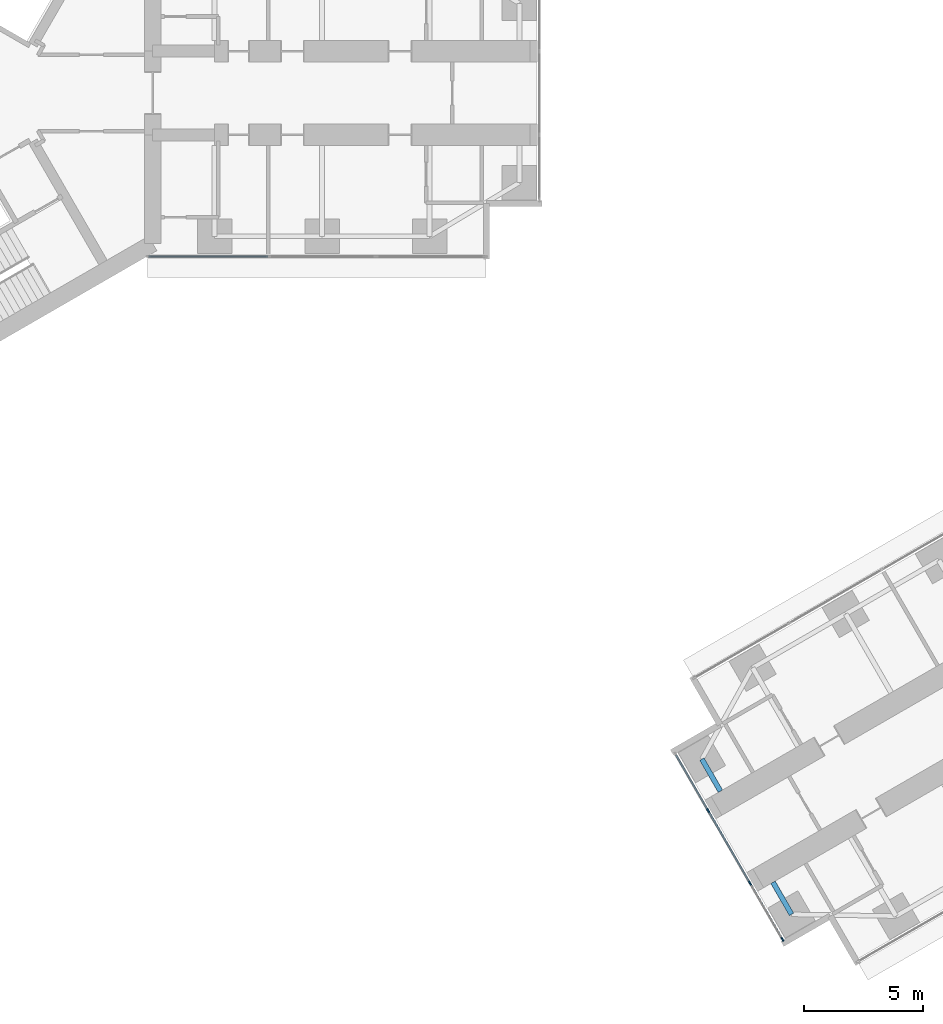
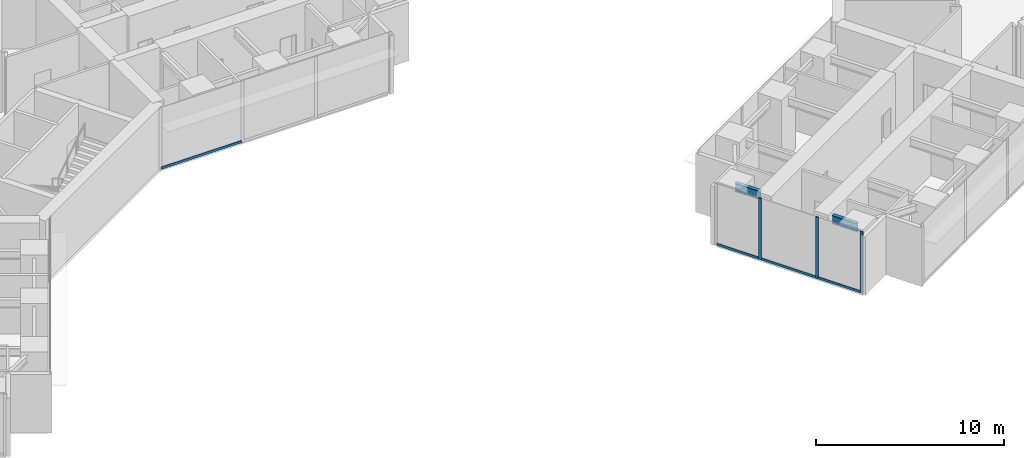
# One storey, part 3 of 24: 7 members, 2 beams, 2 elements without a shape of their own.
"""IFC4 building model written with IfcOpenShell, lengths in metres."""

from ifc_helpers import new_model, si_unit, direction, frame, origin, origin_2d, place, context, subcontext, project, spatial, rectangle, i_section, extrude, material, material_profile, profile_set, type_object, element, aggregate, save


model = new_model("IFC4")

# Units and contexts
model_context = context("Model", 3, precision=1e-05, world=origin(), true_north=direction((0.0, 1.0)))
body_context = subcontext(model_context, "Body", "Model", "MODEL_VIEW")
ifc_project = project(units=[si_unit("LENGTHUNIT", "METRE"), si_unit("AREAUNIT", "SQUARE_METRE"), si_unit("VOLUMEUNIT", "CUBIC_METRE"), si_unit("PLANEANGLEUNIT", "RADIAN"), si_unit("MASSUNIT", "GRAM", prefix="KILO")], contexts=[model_context])

# Site, building, storey
site_placement = place(None, origin())
site = spatial("IfcSite", under=ifc_project, at=site_placement, CompositionType="ELEMENT")
building_placement = place(site_placement, origin())
building = spatial("IfcBuilding", under=site, at=building_placement, Name="Upepo Twin Towers", CompositionType="ELEMENT")
storey_placement = place(building_placement, frame((0.0, 0.0, 56.5)))
storey = spatial("IfcBuildingStorey", under=building, at=storey_placement, Name="L13", CompositionType="ELEMENT", Elevation=56.5)

# Beams
ifc_material_1 = material(Name="Steel S355", Category="steel")
ifc_material_profile_1 = material_profile(ifc_material_1, i_section(OverallWidth=0.2119140625, OverallDepth=0.54443359375, WebThickness=0.0126953125, FlangeThickness=0.021240234375, FilletRadius=0.0126953125, at=origin_2d()), Name="UB 533x210x122")
ifc_profile_set_1 = profile_set([ifc_material_profile_1], Name="Steel S355")
beam_type = type_object("IfcBeamType", Name="Beam UB 533x210x122", PredefinedType="BEAM", material=ifc_profile_set_1)
for number, where, z_axis, x_axis, name in (
    (1, (37.641845703125, -34.37255859375, 3.52783203125), (-0.499967891604, 0.866043940782, 0.0), (-0.866043940782, -0.499967891604, 0.0), "T2 nose beam BL"),
    (2, (33.891845703125, -27.87744140625, 3.52783203125), (0.499967891604, -0.866043940782, 0.0), (0.866043940782, 0.499967891604, 0.0), "T2 nose beam BR"),
):
    element("IfcBeam", number, at=place(storey_placement, frame(where, z_axis=z_axis, x_axis=x_axis)), inside=storey, type_object=beam_type, Name=name, PredefinedType="BEAM", context=body_context, shape_type="SweptSolid", body=[
        extrude(i_section(OverallWidth=0.2119140625, OverallDepth=0.54443359375, WebThickness=0.0126953125, FlangeThickness=0.021240234375, FilletRadius=0.0126953125, at=origin_2d()), origin(), (0.0, 0.0, 1.0), 1.5498046875),
    ])

# Curtain wall, members
ifc_material_2 = material(Name="Aluminium and fritted glass", Category="aluminium")
curtain_wall_type = type_object("IfcCurtainWallType", Name="Tower curtain wall TW1, fritted glass", PredefinedType="NOTDEFINED", material=ifc_material_2)
curtain_wall_1_placement = place(storey_placement, origin())
curtain_wall_1 = element("IfcCurtainWall", 3, at=curtain_wall_1_placement, inside=storey, type_object=curtain_wall_type, Name="T2 L13 wing B nose curtain wall", PredefinedType="NOTDEFINED")
ifc_material_3 = material(Name="Aluminium mullion", Category="aluminium")
ifc_material_profile_2 = material_profile(ifc_material_3, rectangle(XDim=0.06494140625, YDim=0.179931640625, at=origin_2d()), Name="MULLION 65x180")
ifc_profile_set_2 = profile_set([ifc_material_profile_2], Name="Aluminium mullion")
member_type_1 = type_object("IfcMemberType", Name="Mullion 65x180 TW1", PredefinedType="MULLION", material=ifc_profile_set_2)
member_1_placement = place(storey_placement, frame((34.15576171875, -30.034423828125, 0.0), z_axis=(0.0, 0.0, 1.0), x_axis=(0.866025386174, 0.500000030502, 0.0)))
member_1 = element("IfcMember", 4, at=member_1_placement, type_object=member_type_1, Name="T2 L13 wing B nose curtain wall mullion 2", PredefinedType="MULLION", context=body_context, shape_type="SweptSolid", body=[
    extrude(rectangle(XDim=0.06494140625, YDim=0.179931640625, at=origin_2d()), origin(), (0.0, 0.0, 1.0), 4.0),
])
member_2_placement = place(storey_placement, frame((35.90576171875, -33.0654296875, 0.0), z_axis=(0.0, 0.0, 1.0), x_axis=(0.866025386174, 0.500000030502, 0.0)))
member_2 = element("IfcMember", 5, at=member_2_placement, type_object=member_type_1, Name="T2 L13 wing B nose curtain wall mullion 3", PredefinedType="MULLION", context=body_context, shape_type="SweptSolid", body=[
    extrude(rectangle(XDim=0.06494140625, YDim=0.179931640625, at=origin_2d()), origin(), (0.0, 0.0, 1.0), 4.0),
])
member_3_placement = place(storey_placement, frame((37.264404296875, -35.4189453125, 0.0), z_axis=(0.0, 0.0, 1.0), x_axis=(0.866025386174, 0.500000030502, 0.0)))
member_3 = element("IfcMember", 6, at=member_3_placement, type_object=member_type_1, Name="T2 L13 wing B nose curtain wall mullion 4", PredefinedType="MULLION", context=body_context, shape_type="SweptSolid", body=[
    extrude(rectangle(XDim=0.06494140625, YDim=0.179931640625, at=origin_2d()), origin(), (0.0, 0.0, 1.0), 4.0),
])

# Curtain wall, member
curtain_wall_2_placement = place(storey_placement, origin())
curtain_wall_2 = element("IfcCurtainWall", 7, at=curtain_wall_2_placement, inside=storey, type_object=curtain_wall_type, Name="T1 L13 wing A flank R curtain wall", PredefinedType="NOTDEFINED")
ifc_material_4 = material(Name="Aluminium transom", Category="aluminium")
ifc_material_profile_3 = material_profile(ifc_material_4, rectangle(XDim=0.06494140625, YDim=0.14990234375, at=origin_2d()), Name="TRANSOM 65x150")
ifc_profile_set_3 = profile_set([ifc_material_profile_3], Name="Aluminium transom")
member_type_2 = type_object("IfcMemberType", Name="Transom 65x150 TW1", PredefinedType="USERDEFINED", material=ifc_profile_set_3)
member_4_placement = place(storey_placement, frame((15.717529296875, -6.85009765625, 0.074951171875), z_axis=(-1.0, 0.0, 0.0), x_axis=(0.0, -1.0, 0.0)))
member_4 = element("IfcMember", 8, at=member_4_placement, type_object=member_type_2, Name="T1 L13 wing A flank R curtain wall transom 3", ObjectType="TRANSOM", PredefinedType="USERDEFINED", context=body_context, shape_type="SweptSolid", body=[
    extrude(rectangle(XDim=0.06494140625, YDim=0.14990234375, at=origin_2d()), origin(), (0.0, 0.0, 1.0), 4.96533203125),
])
aggregate(curtain_wall_2, [member_4])

# Member
member_5_placement = place(storey_placement, frame((32.813232421875, -27.709228515625, 0.074951171875), z_axis=(0.499980071345, -0.866036909293, 0.0), x_axis=(0.866036909293, 0.499980071345, 0.0)))
member_5 = element("IfcMember", 9, at=member_5_placement, type_object=member_type_2, Name="T2 L13 wing B nose curtain wall transom 1", ObjectType="TRANSOM", PredefinedType="USERDEFINED", context=body_context, shape_type="SweptSolid", body=[
    extrude(rectangle(XDim=0.06494140625, YDim=0.14990234375, at=origin_2d()), origin(), (0.0, 0.0, 1.0), 2.65234375),
])

member_6_placement = place(storey_placement, frame((34.171875, -30.0625, 0.074951171875), z_axis=(0.499999305434, -0.866025804792, 0.0), x_axis=(0.866025804792, 0.499999305434, 0.0)))
member_6 = element("IfcMember", 10, at=member_6_placement, type_object=member_type_2, Name="T2 L13 wing B nose curtain wall transom 2", ObjectType="TRANSOM", PredefinedType="USERDEFINED", context=body_context, shape_type="SweptSolid", body=[
    extrude(rectangle(XDim=0.06494140625, YDim=0.14990234375, at=origin_2d()), origin(), (0.0, 0.0, 1.0), 3.43505859375),
])

member_7_placement = place(storey_placement, frame((35.921875, -33.09375, 0.074951171875), z_axis=(0.500049101008, -0.865997053448, 0.0), x_axis=(0.865997053448, 0.500049101008, 0.0)))
member_7 = element("IfcMember", 11, at=member_7_placement, type_object=member_type_2, Name="T2 L13 wing B nose curtain wall transom 3", ObjectType="TRANSOM", PredefinedType="USERDEFINED", context=body_context, shape_type="SweptSolid", body=[
    extrude(rectangle(XDim=0.06494140625, YDim=0.14990234375, at=origin_2d()), origin(), (0.0, 0.0, 1.0), 2.652587890625),
])

aggregate(curtain_wall_1, [member_1, member_2, member_3, member_5, member_6, member_7])

save(model, "model.ifc")
